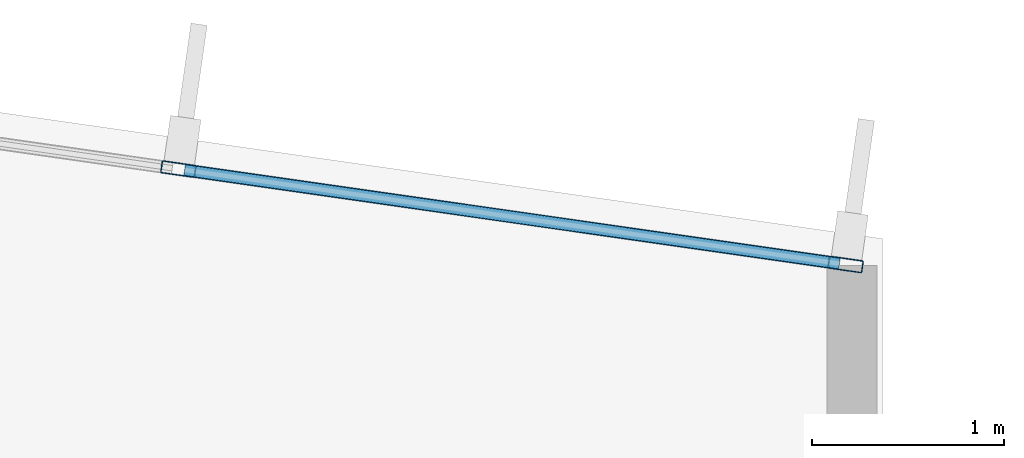
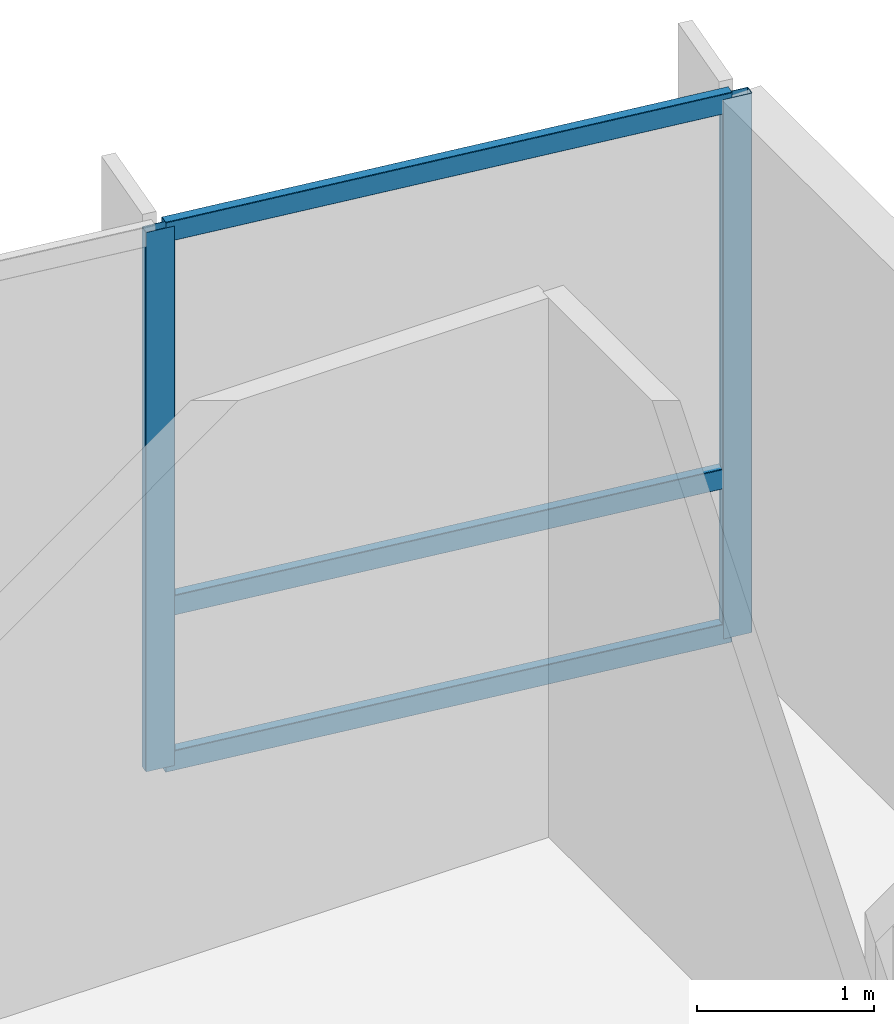
# One storey, part 8 of 16: 5 members, 1 element without a shape of its own.
"""IFC4 building model written with IfcOpenShell, lengths in metres."""

from ifc_helpers import new_model, si_unit, direction, frame, origin, origin_2d, place, context, subcontext, project, spatial, hollow_rectangle, extrude, material, layer, layer_set, material_profile, profile_set, type_object, element, aggregate, save


model = new_model("IFC4")

# Units and contexts
model_context = context("Model", 3, precision=1e-05, world=origin(), true_north=direction((0.0, 1.0)))
body_context = subcontext(model_context, "Body", "Model", "MODEL_VIEW")
ifc_project = project(units=[si_unit("LENGTHUNIT", "METRE"), si_unit("AREAUNIT", "SQUARE_METRE"), si_unit("VOLUMEUNIT", "CUBIC_METRE"), si_unit("PLANEANGLEUNIT", "RADIAN"), si_unit("MASSUNIT", "GRAM", prefix="KILO")], contexts=[model_context])

# Site, building, storey
site_placement = place(None, origin())
site = spatial("IfcSite", under=ifc_project, at=site_placement, CompositionType="ELEMENT")
building_placement = place(site_placement, origin())
building = spatial("IfcBuilding", under=site, at=building_placement, Name="Varnakote Quay Hospital", CompositionType="ELEMENT")
storey_placement = place(building_placement, frame((0.0, 0.0, 292.10009765625)))
storey = spatial("IfcBuildingStorey", under=building, at=storey_placement, Name="L72", CompositionType="ELEMENT", Elevation=292.10009765625)

# Curtain wall, members
ifc_material_1 = material(Name="Anodised aluminium 6063-T6 Bronze", Category="aluminium")
ifc_layer = layer(ifc_material_1, 0.235107421875)
ifc_layer_set = layer_set([ifc_layer], Name="Anodised aluminium 6063-T6 Bronze")
curtain_wall_type = type_object("IfcCurtainWallType", Name="CW-SYS-5", PredefinedType="NOTDEFINED", material=ifc_layer_set)
curtain_wall_placement = place(storey_placement, origin())
curtain_wall = element("IfcCurtainWall", 1, at=curtain_wall_placement, inside=storey, type_object=curtain_wall_type, Name="L72 Unitised Bronze Curtain Wall 1", PredefinedType="NOTDEFINED")
ifc_material_2 = material(Name="Anodised aluminium 6063-T6 Bronze", Category="aluminium")
ifc_material_profile_1 = material_profile(ifc_material_2, hollow_rectangle(XDim=0.06494140625, YDim=0.179931640625, WallThickness=0.00390625, InnerFilletRadius=0.00390625, OuterFilletRadius=0.008056640625, at=origin_2d()), Name="CW-MULL-180x65")
ifc_profile_set_1 = profile_set([ifc_material_profile_1], Name="Anodised aluminium 6063-T6 Bronze")
member_type_1 = type_object("IfcMemberType", Name="CW-MULL-180x65", PredefinedType="MULLION", material=ifc_profile_set_1)
member_1_placement = place(storey_placement, frame((37.90771484375, 27.666015625, 0.0), z_axis=(0.0, 0.0, 1.0), x_axis=(-0.141571876691, -0.989927979062, 0.0)))
member_1 = element("IfcMember", 2, at=member_1_placement, type_object=member_type_1, Name="-5-L72-1 mullion 1", PredefinedType="MULLION", context=body_context, shape_type="SweptSolid", body=[
    extrude(hollow_rectangle(XDim=0.06494140625, YDim=0.179931640625, WallThickness=0.00390625, InnerFilletRadius=0.00390625, OuterFilletRadius=0.008056640625, at=origin_2d()), origin(), (0.0, 0.0, 1.0), 3.7099609375),
])
member_2_placement = place(storey_placement, frame((34.441162109375, 28.16162109375, 0.0), z_axis=(0.0, 0.0, 1.0), x_axis=(-0.141571876691, -0.989927979062, 0.0)))
member_2 = element("IfcMember", 3, at=member_2_placement, type_object=member_type_1, Name="-5-L72-1 mullion 2", PredefinedType="MULLION", context=body_context, shape_type="SweptSolid", body=[
    extrude(hollow_rectangle(XDim=0.06494140625, YDim=0.179931640625, WallThickness=0.00390625, InnerFilletRadius=0.00390625, OuterFilletRadius=0.008056640625, at=origin_2d()), origin(), (0.0, 0.0, 1.0), 3.7099609375),
])
ifc_material_3 = material(Name="Anodised aluminium 6063-T6 Bronze", Category="aluminium")
ifc_material_profile_2 = material_profile(ifc_material_3, hollow_rectangle(XDim=0.06494140625, YDim=0.139892578125, WallThickness=0.00390625, InnerFilletRadius=0.00390625, OuterFilletRadius=0.007568359375, at=origin_2d()), Name="CW-TRAN-140x65")
ifc_profile_set_2 = profile_set([ifc_material_profile_2], Name="Anodised aluminium 6063-T6 Bronze")
member_type_2 = type_object("IfcMemberType", Name="CW-TRAN-140x65", PredefinedType="USERDEFINED", material=ifc_profile_set_2)
member_3_placement = place(storey_placement, frame((37.875732421875, 27.67041015625, 0.032470703125), z_axis=(-0.989928172258, 0.141570525783, 0.0), x_axis=(-0.141570525783, -0.989928172258, 0.0)))
member_3 = element("IfcMember", 4, at=member_3_placement, type_object=member_type_2, Name="-5-L72-1 transom 1.1", ObjectType="TRANSOM", PredefinedType="USERDEFINED", context=body_context, shape_type="SweptSolid", body=[
    extrude(hollow_rectangle(XDim=0.06494140625, YDim=0.139892578125, WallThickness=0.00390625, InnerFilletRadius=0.00390625, OuterFilletRadius=0.007568359375, at=origin_2d()), origin(), (0.0, 0.0, 1.0), 3.43701171875),
])
member_4_placement = place(storey_placement, frame((37.875732421875, 27.67041015625, 1.099853515625), z_axis=(-0.989928172258, 0.141570525783, 0.0), x_axis=(-0.141570525783, -0.989928172258, 0.0)))
member_4 = element("IfcMember", 5, at=member_4_placement, type_object=member_type_2, Name="-5-L72-1 transom 1.2", ObjectType="TRANSOM", PredefinedType="USERDEFINED", context=body_context, shape_type="SweptSolid", body=[
    extrude(hollow_rectangle(XDim=0.06494140625, YDim=0.139892578125, WallThickness=0.00390625, InnerFilletRadius=0.00390625, OuterFilletRadius=0.007568359375, at=origin_2d()), origin(), (0.0, 0.0, 1.0), 3.43701171875),
])
member_5_placement = place(storey_placement, frame((37.875732421875, 27.67041015625, 3.677490234375), z_axis=(-0.989928172258, 0.141570525783, 0.0), x_axis=(-0.141570525783, -0.989928172258, 0.0)))
member_5 = element("IfcMember", 6, at=member_5_placement, type_object=member_type_2, Name="-5-L72-1 transom 1.3", ObjectType="TRANSOM", PredefinedType="USERDEFINED", context=body_context, shape_type="SweptSolid", body=[
    extrude(hollow_rectangle(XDim=0.06494140625, YDim=0.139892578125, WallThickness=0.00390625, InnerFilletRadius=0.00390625, OuterFilletRadius=0.007568359375, at=origin_2d()), origin(), (0.0, 0.0, 1.0), 3.43701171875),
])
aggregate(curtain_wall, [member_1, member_2, member_3, member_4, member_5])

save(model, "model.ifc")
